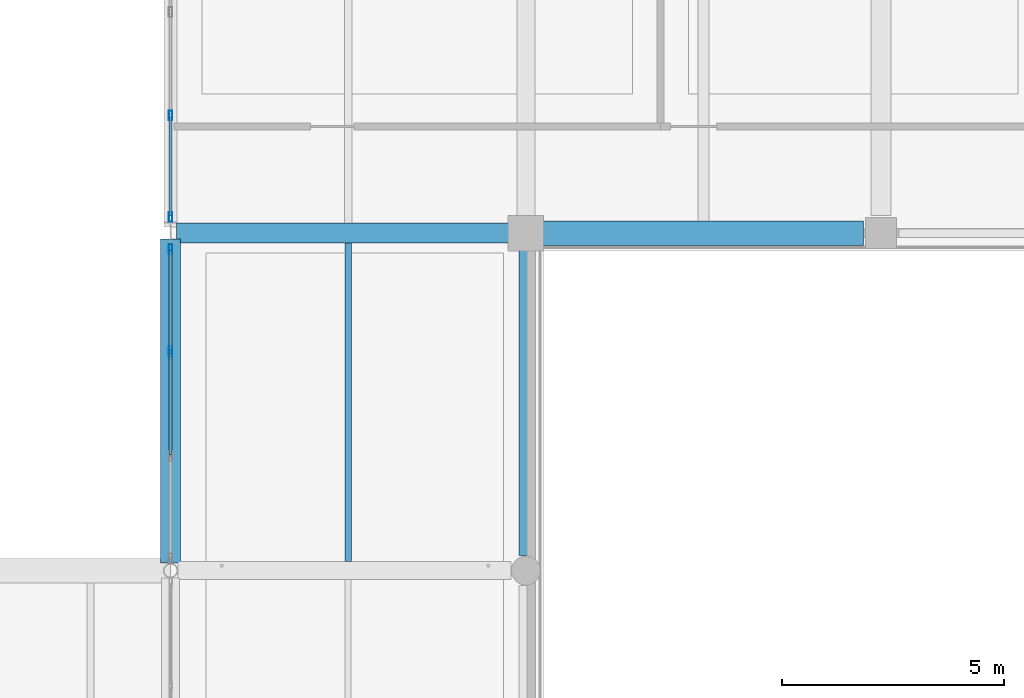
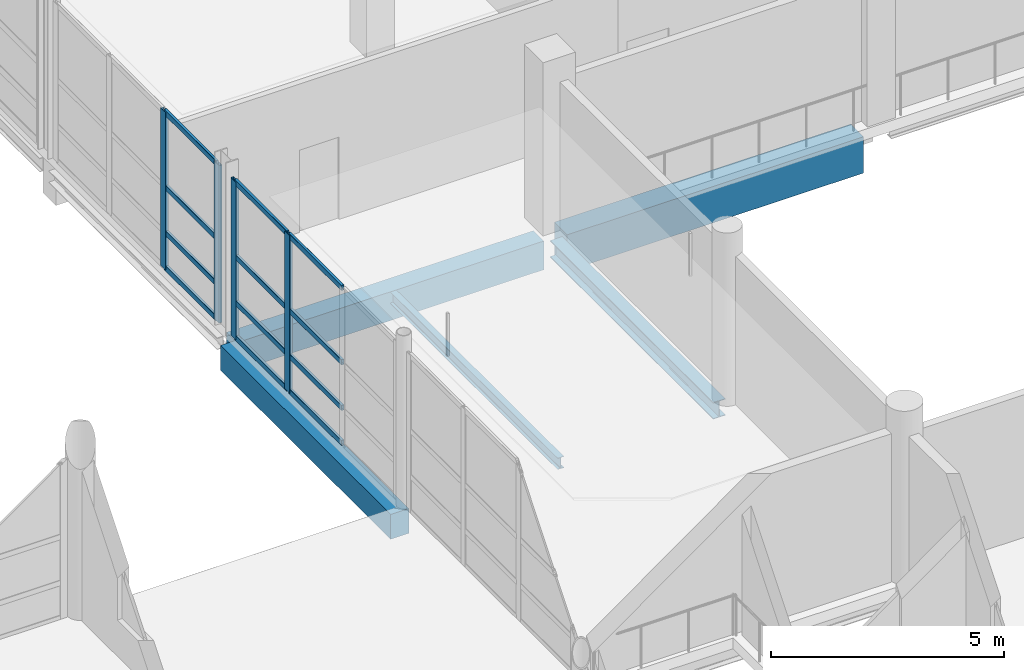
# One storey, part 33 of 107: 16 members, 5 beams, 2 elements without a shape of their own.
"""IFC4 building model written with IfcOpenShell, lengths in metres."""

from ifc_helpers import new_model, si_unit, direction, frame, origin, origin_2d, place, context, subcontext, project, spatial, rectangle, hollow_rectangle, i_section, extrude, material, material_profile, profile_set, type_object, element, aggregate, save


model = new_model("IFC4")

# Units and contexts
model_context = context("Model", 3, precision=1e-05, world=origin(), true_north=direction((0.0, 1.0)))
body_context = subcontext(model_context, "Body", "Model", "MODEL_VIEW")
ifc_project = project(units=[si_unit("LENGTHUNIT", "METRE"), si_unit("AREAUNIT", "SQUARE_METRE"), si_unit("VOLUMEUNIT", "CUBIC_METRE"), si_unit("PLANEANGLEUNIT", "RADIAN"), si_unit("MASSUNIT", "GRAM", prefix="KILO")], contexts=[model_context])

# Site, building, storey
site_placement = place(None, origin())
site = spatial("IfcSite", under=ifc_project, at=site_placement, CompositionType="ELEMENT")
building_placement = place(site_placement, origin())
building = spatial("IfcBuilding", under=site, at=building_placement, Name="Khelvaren Railside Concert Hall", CompositionType="ELEMENT")
storey_placement = place(building_placement, frame((0.0, 0.0, 15.0)))
storey = spatial("IfcBuildingStorey", under=building, at=storey_placement, Name="L03", CompositionType="ELEMENT", Elevation=15.0)

# Beams
ifc_material_1 = material(Name="Concrete C40/50", Category="concrete")
ifc_material_profile_1 = material_profile(ifc_material_1, rectangle(XDim=0.449951171875, YDim=0.75, at=origin_2d()), Name="RCB 450x750")
ifc_profile_set_1 = profile_set([ifc_material_profile_1], Name="Concrete C40/50")
beam_type_1 = type_object("IfcBeamType", Name="BM83", PredefinedType="BEAM", material=ifc_profile_set_1)
beam_1_placement = place(storey_placement, frame((144.135986328125, 22.800048828125, -0.655029296875), z_axis=(1.0, 0.0, 0.0), x_axis=(0.0, 1.0, 0.0)))
element("IfcBeam", 1, at=beam_1_placement, inside=storey, type_object=beam_type_1, Name="V2 L03 Beam X4.1", PredefinedType="BEAM", context=body_context, shape_type="SweptSolid", body=[
    extrude(rectangle(XDim=0.449951171875, YDim=0.75, at=origin_2d()), origin(), (0.0, 0.0, 1.0), 7.591064453125),
])
ifc_material_2 = material(Name="Steel S355", Category="steel")
ifc_material_profile_2 = material_profile(ifc_material_2, i_section(OverallWidth=0.300048828125, OverallDepth=0.43994140625, WebThickness=0.011474609375, FlangeThickness=0.02099609375, FilletRadius=0.027099609375, at=origin_2d()), Name="HEA 450")
ifc_profile_set_2 = profile_set([ifc_material_profile_2], Name="Steel S355")
beam_type_2 = type_object("IfcBeamType", Name="BM89", PredefinedType="BEAM", material=ifc_profile_set_2)
beam_2_placement = place(storey_placement, frame((152.0, 15.535888671875, -0.5), z_axis=(0.0, 1.0, 0.0), x_axis=(-1.0, 0.0, 0.0)))
element("IfcBeam", 2, at=beam_2_placement, inside=storey, type_object=beam_type_2, Name="V2 L03 Beam Y2.3", PredefinedType="BEAM", context=body_context, shape_type="SweptSolid", body=[
    extrude(i_section(OverallWidth=0.300048828125, OverallDepth=0.43994140625, WebThickness=0.011474609375, FlangeThickness=0.02099609375, FilletRadius=0.027099609375, at=origin_2d()), origin(), (0.0, 0.0, 1.0), 6.9912109375),
])

# Curtain wall, members
ifc_material_3 = material(Name="Double-glazed clear foyer glass", Category="glass")
curtain_wall_type_1 = type_object("IfcCurtainWallType", Name="CW68", PredefinedType="USERDEFINED", material=ifc_material_3)
curtain_wall_1_placement = place(storey_placement, origin())
curtain_wall_1 = element("IfcCurtainWall", 3, at=curtain_wall_1_placement, inside=storey, type_object=curtain_wall_type_1, Name="Unitised Curtain Wall CW-V2-L03-W-15", ObjectType="UNITISED CURTAIN WALL", PredefinedType="USERDEFINED")
ifc_material_4 = material(Name="Anodised architectural aluminium 6063-T6", Category="aluminium")
ifc_material_profile_3 = material_profile(ifc_material_4, hollow_rectangle(XDim=0.074951171875, YDim=0.219970703125, WallThickness=0.0048828125, InnerFilletRadius=0.0029296875, OuterFilletRadius=0.0048828125, at=origin_2d()), Name="CWM 75x220x5")
ifc_profile_set_3 = profile_set([ifc_material_profile_3], Name="Anodised architectural aluminium 6063-T6")
member_type_1 = type_object("IfcMemberType", Name="CWM13", PredefinedType="MULLION", material=ifc_profile_set_3)
member_1_placement = place(storey_placement, frame((144.0, 20.1298828125, 0.0), z_axis=(0.0, 0.0, 1.0), x_axis=(-1.0, 0.0, 0.0)))
member_1 = element("IfcMember", 4, at=member_1_placement, type_object=member_type_1, Name="CW68 mullion 3", PredefinedType="MULLION", context=body_context, shape_type="SweptSolid", body=[
    extrude(hollow_rectangle(XDim=0.074951171875, YDim=0.219970703125, WallThickness=0.0048828125, InnerFilletRadius=0.0029296875, OuterFilletRadius=0.0048828125, at=origin_2d()), origin(), (0.0, 0.0, 1.0), 4.1201171875),
])
member_2_placement = place(storey_placement, frame((144.0, 22.43994140625, 0.0), z_axis=(0.0, 0.0, 1.0), x_axis=(-1.0, 0.0, 0.0)))
member_2 = element("IfcMember", 5, at=member_2_placement, type_object=member_type_1, Name="CW68 mullion 4", PredefinedType="MULLION", context=body_context, shape_type="SweptSolid", body=[
    extrude(hollow_rectangle(XDim=0.074951171875, YDim=0.219970703125, WallThickness=0.0048828125, InnerFilletRadius=0.0029296875, OuterFilletRadius=0.0048828125, at=origin_2d()), origin(), (0.0, 0.0, 1.0), 4.1201171875),
])

curtain_wall_type_2 = type_object("IfcCurtainWallType", Name="CW70", PredefinedType="USERDEFINED", material=ifc_material_3)
curtain_wall_2_placement = place(storey_placement, origin())
curtain_wall_2 = element("IfcCurtainWall", 6, at=curtain_wall_2_placement, inside=storey, type_object=curtain_wall_type_2, Name="Unitised Curtain Wall CW-V2-L03-W-23", ObjectType="UNITISED CURTAIN WALL", PredefinedType="USERDEFINED")
member_3_placement = place(storey_placement, frame((144.0, 23.159912109375, 0.0), z_axis=(0.0, 0.0, 1.0), x_axis=(-1.0, 0.0, 0.0)))
member_3 = element("IfcMember", 7, at=member_3_placement, type_object=member_type_1, Name="CW70 mullion 1", PredefinedType="MULLION", context=body_context, shape_type="SweptSolid", body=[
    extrude(hollow_rectangle(XDim=0.074951171875, YDim=0.219970703125, WallThickness=0.0048828125, InnerFilletRadius=0.0029296875, OuterFilletRadius=0.0048828125, at=origin_2d()), origin(), (0.0, 0.0, 1.0), 4.1201171875),
])
member_4_placement = place(storey_placement, frame((144.0, 25.44921875, 0.0), z_axis=(0.0, 0.0, 1.0), x_axis=(-1.0, 0.0, 0.0)))
member_4 = element("IfcMember", 8, at=member_4_placement, type_object=member_type_1, Name="CW70 mullion 2", PredefinedType="MULLION", context=body_context, shape_type="SweptSolid", body=[
    extrude(hollow_rectangle(XDim=0.074951171875, YDim=0.219970703125, WallThickness=0.0048828125, InnerFilletRadius=0.0029296875, OuterFilletRadius=0.0048828125, at=origin_2d()), origin(), (0.0, 0.0, 1.0), 4.1201171875),
])

# Member
ifc_material_profile_4 = material_profile(ifc_material_4, hollow_rectangle(XDim=0.06494140625, YDim=0.139892578125, WallThickness=0.00390625, InnerFilletRadius=0.001953125, OuterFilletRadius=0.00390625, at=origin_2d()), Name="CWT 65x140x4")
ifc_profile_set_4 = profile_set([ifc_material_profile_4], Name="Anodised architectural aluminium 6063-T6")
member_type_2 = type_object("IfcMemberType", Name="CWT72", PredefinedType="USERDEFINED", material=ifc_profile_set_4)
member_5_placement = place(storey_placement, frame((144.0, 17.819580078125, 0.032470703125), z_axis=(0.0, 1.0, 0.0), x_axis=(-1.0, 0.0, 0.0)))
member_5 = element("IfcMember", 9, at=member_5_placement, type_object=member_type_2, Name="CW68 transom 2.1", ObjectType="TRANSOM", PredefinedType="USERDEFINED", context=body_context, shape_type="SweptSolid", body=[
    extrude(hollow_rectangle(XDim=0.06494140625, YDim=0.139892578125, WallThickness=0.00390625, InnerFilletRadius=0.001953125, OuterFilletRadius=0.00390625, at=origin_2d()), origin(), (0.0, 0.0, 1.0), 2.272705078125),
])

member_6_placement = place(storey_placement, frame((144.0, 17.819580078125, 0.949951171875), z_axis=(0.0, 1.0, 0.0), x_axis=(-1.0, 0.0, 0.0)))
member_6 = element("IfcMember", 10, at=member_6_placement, type_object=member_type_2, Name="CW68 transom 2.2", ObjectType="TRANSOM", PredefinedType="USERDEFINED", context=body_context, shape_type="SweptSolid", body=[
    extrude(hollow_rectangle(XDim=0.06494140625, YDim=0.139892578125, WallThickness=0.00390625, InnerFilletRadius=0.001953125, OuterFilletRadius=0.00390625, at=origin_2d()), origin(), (0.0, 0.0, 1.0), 2.272705078125),
])

member_7_placement = place(storey_placement, frame((144.0, 17.819580078125, 2.142333984375), z_axis=(0.0, 1.0, 0.0), x_axis=(-1.0, 0.0, 0.0)))
member_7 = element("IfcMember", 11, at=member_7_placement, type_object=member_type_2, Name="CW68 transom 2.3", ObjectType="TRANSOM", PredefinedType="USERDEFINED", context=body_context, shape_type="SweptSolid", body=[
    extrude(hollow_rectangle(XDim=0.06494140625, YDim=0.139892578125, WallThickness=0.00390625, InnerFilletRadius=0.001953125, OuterFilletRadius=0.00390625, at=origin_2d()), origin(), (0.0, 0.0, 1.0), 2.272705078125),
])

member_8_placement = place(storey_placement, frame((144.0, 17.819580078125, 4.08740234375), z_axis=(0.0, 1.0, 0.0), x_axis=(-1.0, 0.0, 0.0)))
member_8 = element("IfcMember", 12, at=member_8_placement, type_object=member_type_2, Name="CW68 transom 2.4", ObjectType="TRANSOM", PredefinedType="USERDEFINED", context=body_context, shape_type="SweptSolid", body=[
    extrude(hollow_rectangle(XDim=0.06494140625, YDim=0.139892578125, WallThickness=0.00390625, InnerFilletRadius=0.001953125, OuterFilletRadius=0.00390625, at=origin_2d()), origin(), (0.0, 0.0, 1.0), 2.272705078125),
])

member_9_placement = place(storey_placement, frame((144.0, 20.167236328125, 0.032470703125), z_axis=(0.0, 1.0, 0.0), x_axis=(-1.0, 0.0, 0.0)))
member_9 = element("IfcMember", 13, at=member_9_placement, type_object=member_type_2, Name="CW68 transom 3.1", ObjectType="TRANSOM", PredefinedType="USERDEFINED", context=body_context, shape_type="SweptSolid", body=[
    extrude(hollow_rectangle(XDim=0.06494140625, YDim=0.139892578125, WallThickness=0.00390625, InnerFilletRadius=0.001953125, OuterFilletRadius=0.00390625, at=origin_2d()), origin(), (0.0, 0.0, 1.0), 2.2353515625),
])

member_10_placement = place(storey_placement, frame((144.0, 20.167236328125, 0.949951171875), z_axis=(0.0, 1.0, 0.0), x_axis=(-1.0, 0.0, 0.0)))
member_10 = element("IfcMember", 14, at=member_10_placement, type_object=member_type_2, Name="CW68 transom 3.2", ObjectType="TRANSOM", PredefinedType="USERDEFINED", context=body_context, shape_type="SweptSolid", body=[
    extrude(hollow_rectangle(XDim=0.06494140625, YDim=0.139892578125, WallThickness=0.00390625, InnerFilletRadius=0.001953125, OuterFilletRadius=0.00390625, at=origin_2d()), origin(), (0.0, 0.0, 1.0), 2.2353515625),
])

member_11_placement = place(storey_placement, frame((144.0, 20.167236328125, 2.142333984375), z_axis=(0.0, 1.0, 0.0), x_axis=(-1.0, 0.0, 0.0)))
member_11 = element("IfcMember", 15, at=member_11_placement, type_object=member_type_2, Name="CW68 transom 3.3", ObjectType="TRANSOM", PredefinedType="USERDEFINED", context=body_context, shape_type="SweptSolid", body=[
    extrude(hollow_rectangle(XDim=0.06494140625, YDim=0.139892578125, WallThickness=0.00390625, InnerFilletRadius=0.001953125, OuterFilletRadius=0.00390625, at=origin_2d()), origin(), (0.0, 0.0, 1.0), 2.2353515625),
])

member_12_placement = place(storey_placement, frame((144.0, 20.167236328125, 4.08740234375), z_axis=(0.0, 1.0, 0.0), x_axis=(-1.0, 0.0, 0.0)))
member_12 = element("IfcMember", 16, at=member_12_placement, type_object=member_type_2, Name="CW68 transom 3.4", ObjectType="TRANSOM", PredefinedType="USERDEFINED", context=body_context, shape_type="SweptSolid", body=[
    extrude(hollow_rectangle(XDim=0.06494140625, YDim=0.139892578125, WallThickness=0.00390625, InnerFilletRadius=0.001953125, OuterFilletRadius=0.00390625, at=origin_2d()), origin(), (0.0, 0.0, 1.0), 2.2353515625),
])

aggregate(curtain_wall_1, [member_1, member_2, member_5, member_6, member_7, member_8, member_9, member_10, member_11, member_12])

member_13_placement = place(storey_placement, frame((144.0, 23.197509765625, 0.032470703125), z_axis=(0.0, 1.0, 0.0), x_axis=(-1.0, 0.0, 0.0)))
member_13 = element("IfcMember", 17, at=member_13_placement, type_object=member_type_2, Name="CW70 transom 1.1", ObjectType="TRANSOM", PredefinedType="USERDEFINED", context=body_context, shape_type="SweptSolid", body=[
    extrude(hollow_rectangle(XDim=0.06494140625, YDim=0.139892578125, WallThickness=0.00390625, InnerFilletRadius=0.001953125, OuterFilletRadius=0.00390625, at=origin_2d()), origin(), (0.0, 0.0, 1.0), 2.214111328125),
])

member_14_placement = place(storey_placement, frame((144.0, 23.197509765625, 0.949951171875), z_axis=(0.0, 1.0, 0.0), x_axis=(-1.0, 0.0, 0.0)))
member_14 = element("IfcMember", 18, at=member_14_placement, type_object=member_type_2, Name="CW70 transom 1.2", ObjectType="TRANSOM", PredefinedType="USERDEFINED", context=body_context, shape_type="SweptSolid", body=[
    extrude(hollow_rectangle(XDim=0.06494140625, YDim=0.139892578125, WallThickness=0.00390625, InnerFilletRadius=0.001953125, OuterFilletRadius=0.00390625, at=origin_2d()), origin(), (0.0, 0.0, 1.0), 2.214111328125),
])

member_15_placement = place(storey_placement, frame((144.0, 23.197509765625, 2.142333984375), z_axis=(0.0, 1.0, 0.0), x_axis=(-1.0, 0.0, 0.0)))
member_15 = element("IfcMember", 19, at=member_15_placement, type_object=member_type_2, Name="CW70 transom 1.3", ObjectType="TRANSOM", PredefinedType="USERDEFINED", context=body_context, shape_type="SweptSolid", body=[
    extrude(hollow_rectangle(XDim=0.06494140625, YDim=0.139892578125, WallThickness=0.00390625, InnerFilletRadius=0.001953125, OuterFilletRadius=0.00390625, at=origin_2d()), origin(), (0.0, 0.0, 1.0), 2.214111328125),
])

member_16_placement = place(storey_placement, frame((144.0, 23.197509765625, 4.08740234375), z_axis=(0.0, 1.0, 0.0), x_axis=(-1.0, 0.0, 0.0)))
member_16 = element("IfcMember", 20, at=member_16_placement, type_object=member_type_2, Name="CW70 transom 1.4", ObjectType="TRANSOM", PredefinedType="USERDEFINED", context=body_context, shape_type="SweptSolid", body=[
    extrude(hollow_rectangle(XDim=0.06494140625, YDim=0.139892578125, WallThickness=0.00390625, InnerFilletRadius=0.001953125, OuterFilletRadius=0.00390625, at=origin_2d()), origin(), (0.0, 0.0, 1.0), 2.214111328125),
])

aggregate(curtain_wall_2, [member_3, member_4, member_13, member_14, member_15, member_16])

# Beams
ifc_material_profile_5 = material_profile(ifc_material_1, rectangle(XDim=0.550048828125, YDim=0.949951171875, at=origin_2d()), Name="RCB 550x950")
ifc_profile_set_5 = profile_set([ifc_material_profile_5], Name="Concrete C40/50")
beam_type_3 = type_object("IfcBeamType", Name="GR57", PredefinedType="T_BEAM", material=ifc_profile_set_5)
beam_3_placement = place(storey_placement, frame((152.27294921875, 22.800048828125, -0.7548828125), z_axis=(1.0, 0.0, 0.0), x_axis=(0.0, 1.0, 0.0)))
element("IfcBeam", 21, at=beam_3_placement, inside=storey, type_object=beam_type_3, Name="V2 L03 T_Beam X4.2", PredefinedType="T_BEAM", context=body_context, shape_type="SweptSolid", body=[
    extrude(rectangle(XDim=0.550048828125, YDim=0.949951171875, at=origin_2d()), origin(), (0.0, 0.0, 1.0), 7.3271484375),
])
ifc_material_profile_6 = material_profile(ifc_material_2, i_section(OverallWidth=0.14990234375, OverallDepth=0.300048828125, WebThickness=0.007080078125, FlangeThickness=0.0107421875, FilletRadius=0.014892578125, at=origin_2d()), Name="IPE 300")
ifc_profile_set_6 = profile_set([ifc_material_profile_6], Name="Steel S355")
beam_type_4 = type_object("IfcBeamType", Name="JS26", PredefinedType="JOIST", material=ifc_profile_set_6)
beam_4_placement = place(storey_placement, frame((148.0, 15.39990234375, -0.429931640625), z_axis=(0.0, 1.0, 0.0), x_axis=(-1.0, 0.0, 0.0)))
element("IfcBeam", 22, at=beam_4_placement, inside=storey, type_object=beam_type_4, Name="V2 L03 Secondary Joist 1.3", PredefinedType="JOIST", context=body_context, shape_type="SweptSolid", body=[
    extrude(i_section(OverallWidth=0.14990234375, OverallDepth=0.300048828125, WebThickness=0.007080078125, FlangeThickness=0.0107421875, FilletRadius=0.014892578125, at=origin_2d()), origin(), (0.0, 0.0, 1.0), 7.175048828125),
])
ifc_material_profile_7 = material_profile(ifc_material_1, rectangle(XDim=0.449951171875, YDim=0.64990234375, at=origin_2d()), Name="RCB 450x650")
ifc_profile_set_7 = profile_set([ifc_material_profile_7], Name="Concrete C40/50")
beam_type_5 = type_object("IfcBeamType", Name="SP34", PredefinedType="SPANDREL", material=ifc_profile_set_7)
beam_5_placement = place(storey_placement, frame((144.0, 15.37060546875, -0.60498046875), z_axis=(0.0, 1.0, 0.0), x_axis=(-1.0, 0.0, 0.0)))
element("IfcBeam", 23, at=beam_5_placement, inside=storey, type_object=beam_type_5, Name="V2 L03 Spandrel Y1.3", PredefinedType="SPANDREL", context=body_context, shape_type="SweptSolid", body=[
    extrude(rectangle(XDim=0.449951171875, YDim=0.64990234375, at=origin_2d()), origin(), (0.0, 0.0, 1.0), 7.29345703125),
])

save(model, "model.ifc")
